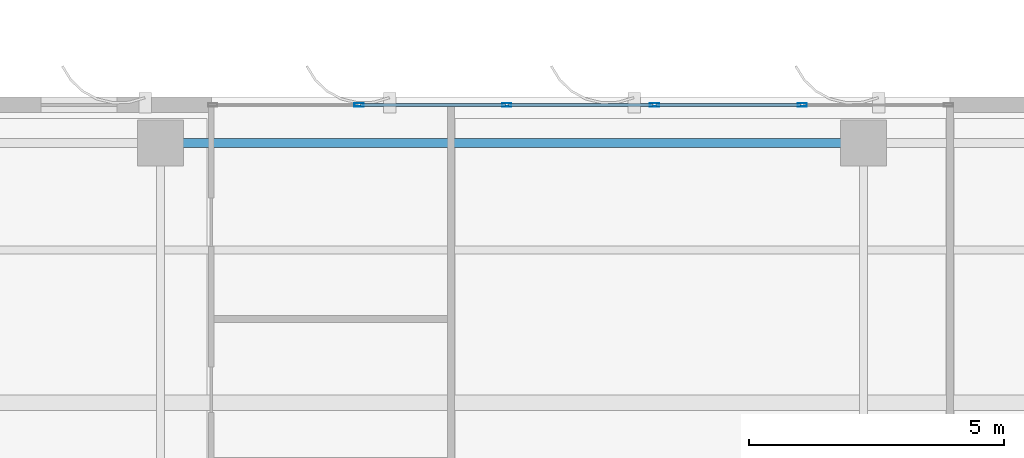
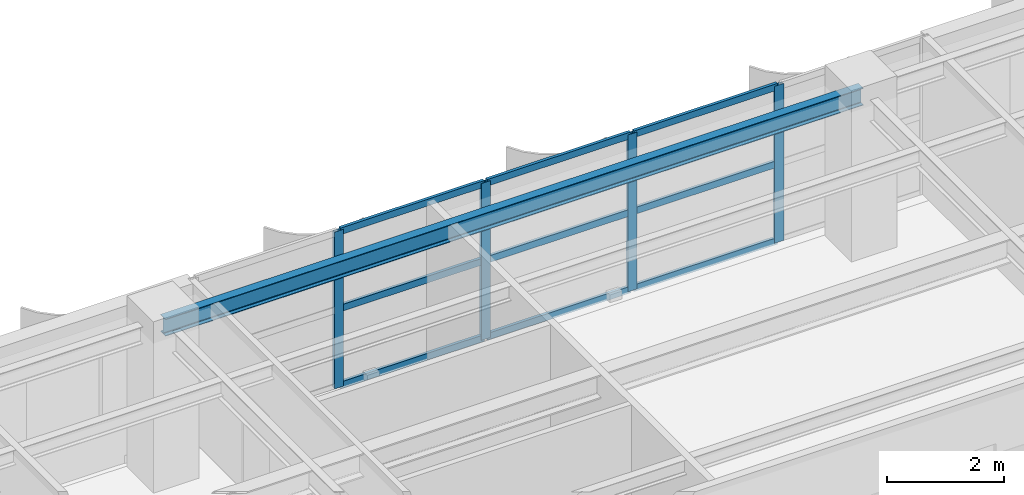
# One storey, part 16 of 25: 13 members, 1 beam, 1 element without a shape of its own.
"""IFC4 building model written with IfcOpenShell, lengths in metres."""

from ifc_helpers import new_model, si_unit, direction, frame, origin, origin_2d, place, context, subcontext, project, spatial, hollow_rectangle, i_section, extrude, source, transform, mapped, material, layer, layer_set, material_profile, profile_set, type_object, element, aggregate, save


model = new_model("IFC4")

# Units and contexts
model_context = context("Model", 3, precision=1e-05, world=origin(), true_north=direction((0.0, 1.0)))
body_context = subcontext(model_context, "Body", "Model", "MODEL_VIEW")
ifc_project = project(units=[si_unit("LENGTHUNIT", "METRE"), si_unit("AREAUNIT", "SQUARE_METRE"), si_unit("VOLUMEUNIT", "CUBIC_METRE"), si_unit("PLANEANGLEUNIT", "RADIAN"), si_unit("MASSUNIT", "GRAM", prefix="KILO")], contexts=[model_context])

# Site, building, storey
site_placement = place(None, origin())
site = spatial("IfcSite", under=ifc_project, at=site_placement, CompositionType="ELEMENT")
building_placement = place(site_placement, origin())
building = spatial("IfcBuilding", under=site, at=building_placement, Name="Khoralis Quay Care Tower", CompositionType="ELEMENT")
storey_placement = place(building_placement, frame((0.0, 0.0, 216.89990234375)))
storey = spatial("IfcBuildingStorey", under=building, at=storey_placement, Name="L57", CompositionType="ELEMENT", Elevation=216.89990234375)

# Beam
ifc_material_1 = material(Name="Steel S355", Category="steel")
ifc_material_profile_1 = material_profile(ifc_material_1, i_section(OverallWidth=0.169921875, OverallDepth=0.360107421875, WebThickness=0.008056640625, FlangeThickness=0.0126953125, FilletRadius=0.01806640625, at=origin_2d()), Name="Steel S355")
ifc_profile_set_1 = profile_set([ifc_material_profile_1], Name="Steel S355")
beam_type = type_object("IfcBeamType", Name="BM-IPE360", PredefinedType="SPANDREL", material=ifc_profile_set_1)
shared_shape_1 = source(origin(), body_context, "Body", "SweptSolid", [
    extrude(i_section(OverallWidth=0.169921875, OverallDepth=0.360107421875, WebThickness=0.008056640625, FlangeThickness=0.0126953125, FilletRadius=0.01806640625, at=origin_2d()), origin(), (0.0, 0.0, 1.0), 13.7998046875),
])
beam_placement = place(storey_placement, frame((17.10009765625, 41.10009765625, 3.10009765625), z_axis=(1.0, 0.0, 0.0), x_axis=(0.0, 1.0, 0.0)))
element("IfcBeam", 1, at=beam_placement, inside=storey, type_object=beam_type, Name="BM-TSP-L57-05", PredefinedType="SPANDREL", context=body_context, shape_type="MappedRepresentation", body=[
    mapped(shared_shape_1, transform((0.0, 0.0, 0.0), scale=1.0)),
])

# Curtain wall, members
ifc_material_2 = material(Name="Pale anodised aluminium", Category="aluminium")
ifc_layer = layer(ifc_material_2, 0.159912109375)
ifc_layer_set = layer_set([ifc_layer], Name="Pale anodised aluminium")
curtain_wall_type = type_object("IfcCurtainWallType", Name="CW-SYS-Z3", PredefinedType="NOTDEFINED", material=ifc_layer_set)
curtain_wall_placement = place(storey_placement, origin())
curtain_wall = element("IfcCurtainWall", 2, at=curtain_wall_placement, inside=storey, type_object=curtain_wall_type, Name="L57 Unitised Curtain Wall CW-L57-P1-E10", PredefinedType="NOTDEFINED")
ifc_material_profile_2 = material_profile(ifc_material_2, hollow_rectangle(XDim=0.06494140625, YDim=0.179931640625, WallThickness=0.00390625, at=origin_2d()), Name="Pale anodised aluminium")
ifc_profile_set_2 = profile_set([ifc_material_profile_2], Name="Pale anodised aluminium")
member_type_1 = type_object("IfcMemberType", Name="CW-MUL-180", PredefinedType="MULLION", material=ifc_profile_set_2)
shared_shape_2 = source(origin(), body_context, "Body", "SweptSolid", [
    extrude(hollow_rectangle(XDim=0.06494140625, YDim=0.179931640625, WallThickness=0.00390625, at=origin_2d()), origin(), (0.0, 0.0, 1.0), 3.280029296875),
])
member_1_placement = place(storey_placement, frame((29.69921875, 41.85009765625, 0.0), z_axis=(0.0, 0.0, 1.0), x_axis=(0.0, -1.0, 0.0)))
member_1 = element("IfcMember", 3, at=member_1_placement, type_object=member_type_1, Name="CW3 mullion 2", PredefinedType="MULLION", context=body_context, shape_type="MappedRepresentation", body=[
    mapped(shared_shape_2, transform((0.0, 0.0, 0.0), scale=1.0)),
])
member_2_placement = place(storey_placement, frame((26.79833984375, 41.85009765625, 0.0), z_axis=(0.0, 0.0, 1.0), x_axis=(0.0, -1.0, 0.0)))
member_2 = element("IfcMember", 4, at=member_2_placement, type_object=member_type_1, Name="CW3 mullion 3", PredefinedType="MULLION", context=body_context, shape_type="MappedRepresentation", body=[
    mapped(shared_shape_2, transform((0.0, 0.0, 0.0), scale=1.0)),
])
member_3_placement = place(storey_placement, frame((23.897705078125, 41.85009765625, 0.0), z_axis=(0.0, 0.0, 1.0), x_axis=(0.0, -1.0, 0.0)))
member_3 = element("IfcMember", 5, at=member_3_placement, type_object=member_type_1, Name="CW3 mullion 4", PredefinedType="MULLION", context=body_context, shape_type="MappedRepresentation", body=[
    mapped(shared_shape_2, transform((0.0, 0.0, 0.0), scale=1.0)),
])
member_4_placement = place(storey_placement, frame((20.996826171875, 41.85009765625, 0.0), z_axis=(0.0, 0.0, 1.0), x_axis=(0.0, -1.0, 0.0)))
member_4 = element("IfcMember", 6, at=member_4_placement, type_object=member_type_1, Name="CW3 mullion 5", PredefinedType="MULLION", context=body_context, shape_type="MappedRepresentation", body=[
    mapped(shared_shape_2, transform((0.0, 0.0, 0.0), scale=1.0)),
])
ifc_material_profile_3 = material_profile(ifc_material_2, hollow_rectangle(XDim=0.06005859375, YDim=0.139892578125, WallThickness=0.00390625, at=origin_2d()), Name="Pale anodised aluminium")
ifc_profile_set_3 = profile_set([ifc_material_profile_3], Name="Pale anodised aluminium")
member_type_2 = type_object("IfcMemberType", Name="CW-TRN-140", PredefinedType="USERDEFINED", material=ifc_profile_set_3)
shared_shape_3 = source(origin(), body_context, "Body", "SweptSolid", [
    extrude(hollow_rectangle(XDim=0.06005859375, YDim=0.139892578125, WallThickness=0.00390625, at=origin_2d()), origin(), (0.0, 0.0, 1.0), 2.8408203125),
])
member_5_placement = place(storey_placement, frame((29.669189453125, 41.85009765625, 0.030029296875), z_axis=(-1.0, 0.0, 0.0), x_axis=(0.0, -1.0, 0.0)))
member_5 = element("IfcMember", 7, at=member_5_placement, type_object=member_type_2, Name="CW3 transom 2.1", ObjectType="TRANSOM", PredefinedType="USERDEFINED", context=body_context, shape_type="MappedRepresentation", body=[
    mapped(shared_shape_3, transform((0.0, 0.0, 0.0), scale=1.0)),
])
member_6_placement = place(storey_placement, frame((29.669189453125, 41.85009765625, 1.64013671875), z_axis=(-1.0, 0.0, 0.0), x_axis=(0.0, -1.0, 0.0)))
member_6 = element("IfcMember", 8, at=member_6_placement, type_object=member_type_2, Name="CW3 transom 2.2", ObjectType="TRANSOM", PredefinedType="USERDEFINED", context=body_context, shape_type="MappedRepresentation", body=[
    mapped(shared_shape_3, transform((0.0, 0.0, 0.0), scale=1.0)),
])
member_7_placement = place(storey_placement, frame((29.669189453125, 41.85009765625, 3.25), z_axis=(-1.0, 0.0, 0.0), x_axis=(0.0, -1.0, 0.0)))
member_7 = element("IfcMember", 9, at=member_7_placement, type_object=member_type_2, Name="CW3 transom 2.3", ObjectType="TRANSOM", PredefinedType="USERDEFINED", context=body_context, shape_type="MappedRepresentation", body=[
    mapped(shared_shape_3, transform((0.0, 0.0, 0.0), scale=1.0)),
])
member_8_placement = place(storey_placement, frame((26.768310546875, 41.85009765625, 0.030029296875), z_axis=(-1.0, 0.0, 0.0), x_axis=(0.0, -1.0, 0.0)))
member_8 = element("IfcMember", 10, at=member_8_placement, type_object=member_type_2, Name="CW3 transom 3.1", ObjectType="TRANSOM", PredefinedType="USERDEFINED", context=body_context, shape_type="MappedRepresentation", body=[
    mapped(shared_shape_3, transform((0.0, 0.0, 0.0), scale=1.0)),
])
member_9_placement = place(storey_placement, frame((26.768310546875, 41.85009765625, 1.64013671875), z_axis=(-1.0, 0.0, 0.0), x_axis=(0.0, -1.0, 0.0)))
member_9 = element("IfcMember", 11, at=member_9_placement, type_object=member_type_2, Name="CW3 transom 3.2", ObjectType="TRANSOM", PredefinedType="USERDEFINED", context=body_context, shape_type="MappedRepresentation", body=[
    mapped(shared_shape_3, transform((0.0, 0.0, 0.0), scale=1.0)),
])
member_10_placement = place(storey_placement, frame((26.768310546875, 41.85009765625, 3.25), z_axis=(-1.0, 0.0, 0.0), x_axis=(0.0, -1.0, 0.0)))
member_10 = element("IfcMember", 12, at=member_10_placement, type_object=member_type_2, Name="CW3 transom 3.3", ObjectType="TRANSOM", PredefinedType="USERDEFINED", context=body_context, shape_type="MappedRepresentation", body=[
    mapped(shared_shape_3, transform((0.0, 0.0, 0.0), scale=1.0)),
])
member_11_placement = place(storey_placement, frame((23.86767578125, 41.85009765625, 0.030029296875), z_axis=(-1.0, 0.0, 0.0), x_axis=(0.0, -1.0, 0.0)))
member_11 = element("IfcMember", 13, at=member_11_placement, type_object=member_type_2, Name="CW3 transom 4.1", ObjectType="TRANSOM", PredefinedType="USERDEFINED", context=body_context, shape_type="MappedRepresentation", body=[
    mapped(shared_shape_3, transform((0.0, 0.0, 0.0), scale=1.0)),
])
member_12_placement = place(storey_placement, frame((23.86767578125, 41.85009765625, 1.64013671875), z_axis=(-1.0, 0.0, 0.0), x_axis=(0.0, -1.0, 0.0)))
member_12 = element("IfcMember", 14, at=member_12_placement, type_object=member_type_2, Name="CW3 transom 4.2", ObjectType="TRANSOM", PredefinedType="USERDEFINED", context=body_context, shape_type="MappedRepresentation", body=[
    mapped(shared_shape_3, transform((0.0, 0.0, 0.0), scale=1.0)),
])
member_13_placement = place(storey_placement, frame((23.86767578125, 41.85009765625, 3.25), z_axis=(-1.0, 0.0, 0.0), x_axis=(0.0, -1.0, 0.0)))
member_13 = element("IfcMember", 15, at=member_13_placement, type_object=member_type_2, Name="CW3 transom 4.3", ObjectType="TRANSOM", PredefinedType="USERDEFINED", context=body_context, shape_type="MappedRepresentation", body=[
    mapped(shared_shape_3, transform((0.0, 0.0, 0.0), scale=1.0)),
])
aggregate(curtain_wall, [member_1, member_2, member_3, member_4, member_5, member_6, member_7, member_8, member_9, member_10, member_11, member_12, member_13])

save(model, "model.ifc")
